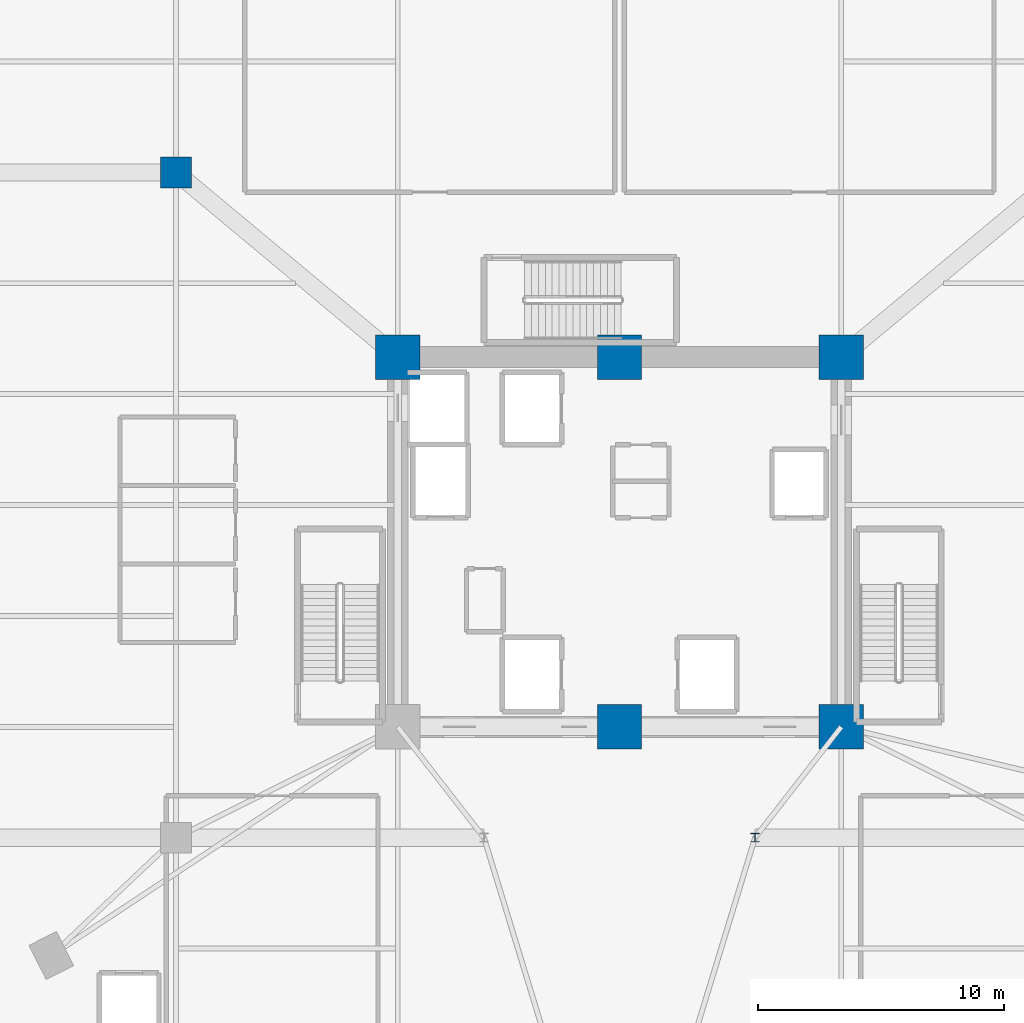
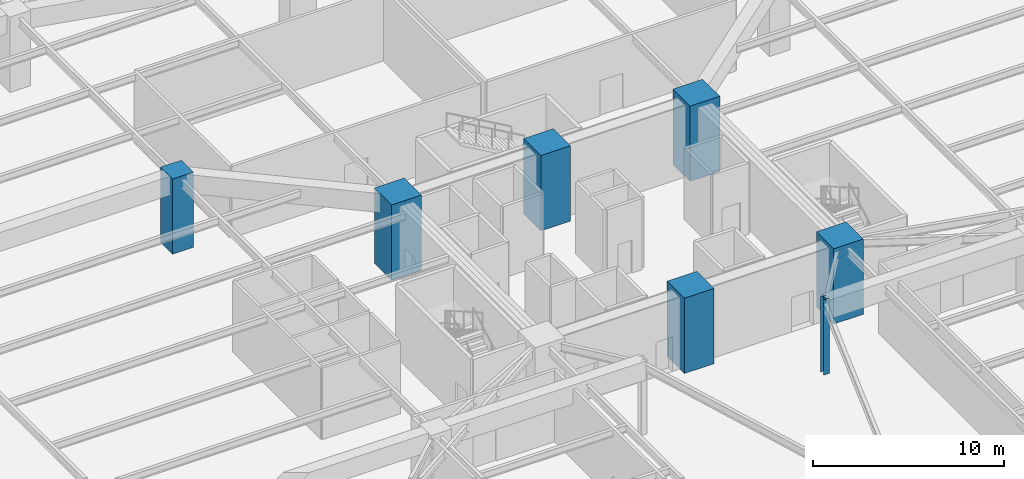
# One storey, part 4 of 20: 7 columns.
"""IFC4 building model written with IfcOpenShell, lengths in metres."""

from ifc_helpers import new_model, si_unit, direction, frame, origin, origin_2d, place, context, subcontext, project, spatial, rectangle, i_section, extrude, source, transform, mapped, material, material_profile, profile_set, type_object, element, save


model = new_model("IFC4")

# Units and contexts
model_context = context("Model", 3, precision=1e-05, world=origin(), true_north=direction((0.0, 1.0)))
body_context = subcontext(model_context, "Body", "Model", "MODEL_VIEW")
ifc_project = project(units=[si_unit("LENGTHUNIT", "METRE"), si_unit("AREAUNIT", "SQUARE_METRE"), si_unit("VOLUMEUNIT", "CUBIC_METRE"), si_unit("PLANEANGLEUNIT", "RADIAN"), si_unit("MASSUNIT", "GRAM", prefix="KILO")], contexts=[model_context])

# Site, building, storey
site_placement = place(None, origin())
site = spatial("IfcSite", under=ifc_project, at=site_placement, CompositionType="ELEMENT")
building_placement = place(site_placement, origin())
building = spatial("IfcBuilding", under=site, at=building_placement, Name="Liaohun Quay Tower", CompositionType="ELEMENT")
storey_placement = place(building_placement, frame((0.0, 0.0, -4.800048828125)))
storey = spatial("IfcBuildingStorey", under=building, at=storey_placement, Name="B1", CompositionType="ELEMENT", Elevation=-4.800048828125)

# Columns
ifc_material_1 = material(Name="Concrete C60", Category="concrete")
ifc_material_profile_1 = material_profile(ifc_material_1, rectangle(XDim=1.800048828125, YDim=1.800048828125, at=origin_2d()), Name="RC1800x1800")
ifc_profile_set_1 = profile_set([ifc_material_profile_1], Name="Concrete C60")
column_type_1 = type_object("IfcColumnType", Name="COL-CC-B", PredefinedType="COLUMN", material=ifc_profile_set_1)
shared_shape_1 = source(origin(), body_context, "Body", "SweptSolid", [
    extrude(rectangle(XDim=1.800048828125, YDim=1.800048828125, at=origin_2d()), origin(), (0.0, 0.0, 1.0), 4.800048828125),
])
for number, where, z_axis, x_axis, name in (
    (1, (60.0, 46.5, 0.0), (0.0, 0.0, 1.0), (1.0, 0.0, 0.0), "B1 Core Column CC2"),
    (2, (69.0, 46.5, 0.0), (0.0, 0.0, 1.0), (1.0, 0.0, 0.0), "B1 Core Column CC3"),
    (3, (69.0, 61.5, 0.0), (0.0, 0.0, 1.0), (1.0, 0.0, 0.0), "B1 Core Column CC4"),
    (4, (60.0, 61.5, 0.0), (0.0, 0.0, 1.0), (1.0, 0.0, 0.0), "B1 Core Column CC5"),
    (5, (51.0, 61.5, 0.0), (0.0, 0.0, 1.0), (1.0, 0.0, 0.0), "B1 Core Column CC6"),
):
    element("IfcColumn", number, at=place(storey_placement, frame(where, z_axis=z_axis, x_axis=x_axis)), inside=storey, type_object=column_type_1, Name=name, PredefinedType="COLUMN", context=body_context, shape_type="MappedRepresentation", body=[
        mapped(shared_shape_1, transform((0.0, 0.0, 0.0), x_axis=(1.0, 0.0, 0.0), y_axis=(0.0, 1.0, 0.0), z_axis=(0.0, 0.0, 1.0), scale=1.0)),
    ])
ifc_material_profile_2 = material_profile(ifc_material_1, rectangle(XDim=1.25, YDim=1.25, at=origin_2d()), Name="RC1250x1250")
ifc_profile_set_2 = profile_set([ifc_material_profile_2], Name="Concrete C60")
column_type_2 = type_object("IfcColumnType", Name="COL-POD-B", PredefinedType="COLUMN", material=ifc_profile_set_2)
shared_shape_2 = source(origin(), body_context, "Body", "SweptSolid", [
    extrude(rectangle(XDim=1.25, YDim=1.25, at=origin_2d()), origin(), (0.0, 0.0, 1.0), 4.800048828125),
])
column_1_placement = place(storey_placement, frame((42.0, 69.0, 0.0), z_axis=(0.0, 0.0, 1.0), x_axis=(1.0, 0.0, 0.0)))
element("IfcColumn", 6, at=column_1_placement, inside=storey, type_object=column_type_2, Name="B1 Podium Column PG11", PredefinedType="COLUMN", context=body_context, shape_type="MappedRepresentation", body=[
    mapped(shared_shape_2, transform((0.0, 0.0, 0.0), x_axis=(1.0, 0.0, 0.0), y_axis=(0.0, 1.0, 0.0), z_axis=(0.0, 0.0, 1.0), scale=1.0)),
])
ifc_material_2 = material(Name="Steel Q355D", Category="steel")
ifc_material_profile_3 = material_profile(ifc_material_2, i_section(OverallWidth=0.35009765625, OverallDepth=0.35009765625, WebThickness=0.011962890625, FlangeThickness=0.01904296875, at=origin_2d()), Name="HW350x350x12x19")
ifc_profile_set_3 = profile_set([ifc_material_profile_3], Name="Steel Q355D")
column_type_3 = type_object("IfcColumnType", Name="COL-STL-ATR", PredefinedType="COLUMN", material=ifc_profile_set_3)
shared_shape_3 = source(origin(), body_context, "Body", "SweptSolid", [
    extrude(i_section(OverallWidth=0.35009765625, OverallDepth=0.35009765625, WebThickness=0.011962890625, FlangeThickness=0.01904296875, at=origin_2d()), origin(), (0.0, 0.0, 1.0), 4.800048828125),
])
column_2_placement = place(storey_placement, frame((65.5, 42.0, 0.0), z_axis=(0.0, 0.0, 1.0), x_axis=(1.0, 0.0, 0.0)))
element("IfcColumn", 7, at=column_2_placement, inside=storey, type_object=column_type_3, Name="B1 Atrium Feature Column AT2", PredefinedType="COLUMN", context=body_context, shape_type="MappedRepresentation", body=[
    mapped(shared_shape_3, transform((0.0, 0.0, 0.0), x_axis=(1.0, 0.0, 0.0), y_axis=(0.0, 1.0, 0.0), z_axis=(0.0, 0.0, 1.0), scale=1.0)),
])

save(model, "model.ifc")
